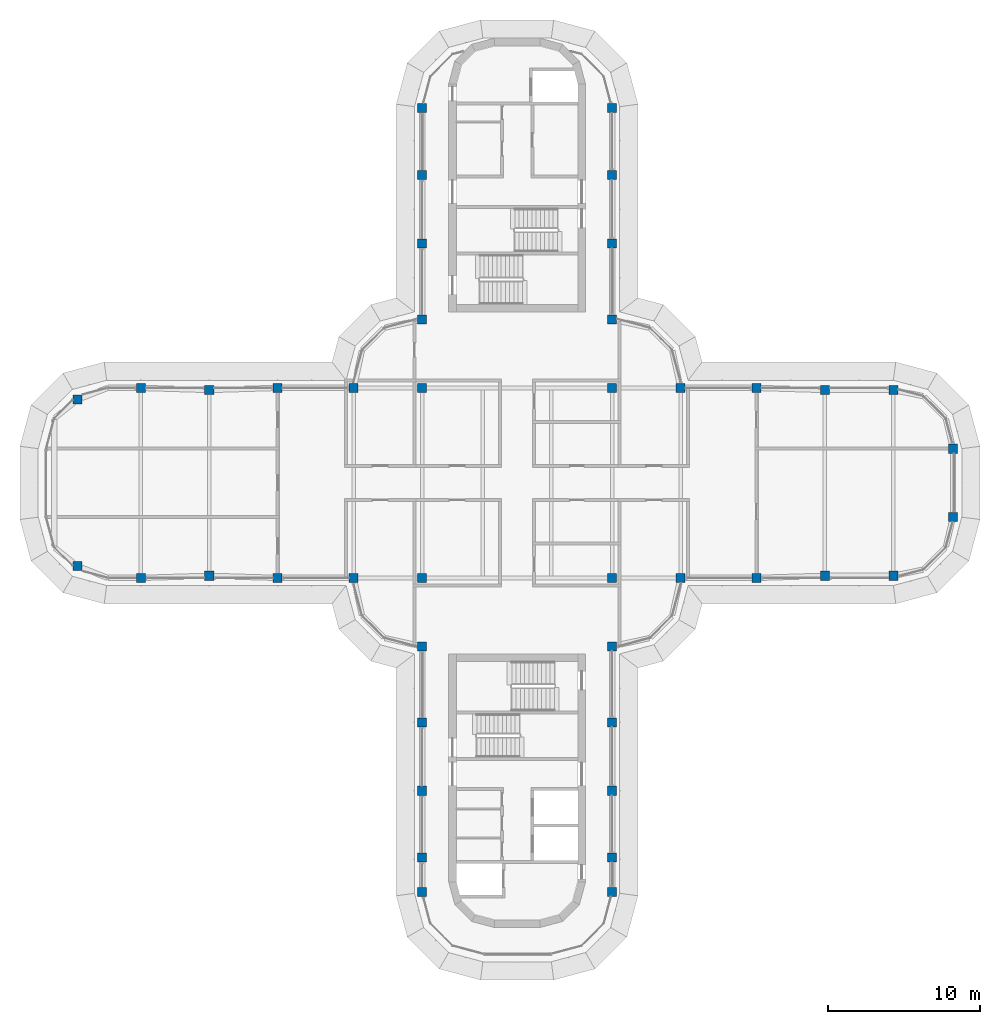
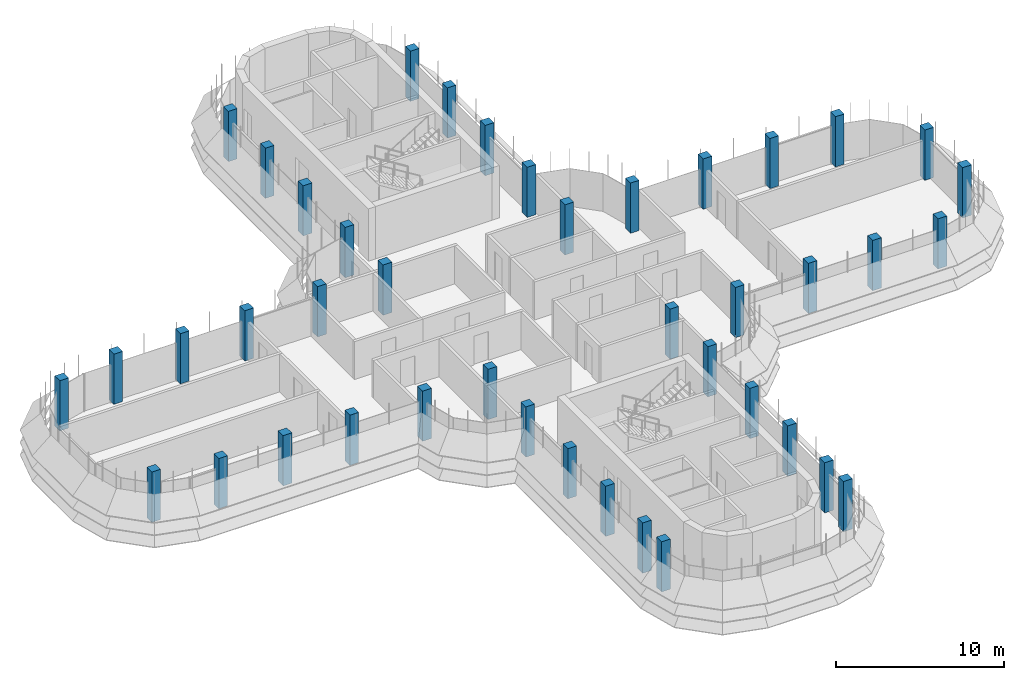
# One storey, part 1 of 19: 42 columns.
"""IFC4 building model written with IfcOpenShell, lengths in metres."""

import ifcopenshell
import ifcopenshell.guid

model = None  # the IFC model being written
_history = None  # IfcOwnerHistory: only IFC2X3 demands one
_inside = {}  # id of a spatial element -> (the spatial element, [elements in it])
_under = {}  # id of a project, library or spatial element -> (it, [spatial elements below it])
_declared = {}  # id of a project -> (the project, [libraries it declares])
_typed = {}  # id of a type object -> (the type object, [elements of that type])
_made_of = {}  # id of a material, layer set ... -> (it, [elements and type objects made of it])


def new_model(schema):
    """Start an empty IFC model of exactly this schema.

    Asked for "IFC4X3", IfcOpenShell would pick the latest addendum, in which some entities
    have other attributes; the version numbers below select the first issue.
    IFC2X3 requires an IfcOwnerHistory on every rooted entity: one is made here for all.
    """
    global model, _history
    if schema == "IFC4X3":
        model = ifcopenshell.file(schema_version=(4, 3, 0, 0))
    else:
        model = ifcopenshell.file(schema=schema)
    _inside.clear()
    _under.clear()
    _declared.clear()
    _typed.clear()
    _made_of.clear()
    _history = None
    if model.schema == "IFC2X3":
        org = make("IfcOrganization", Name="unknown")
        user = make(
            "IfcPersonAndOrganization",
            ThePerson=make("IfcPerson", FamilyName="unknown"),
            TheOrganization=org,
        )
        app = make(
            "IfcApplication",
            ApplicationDeveloper=org,
            Version="unknown",
            ApplicationFullName="unknown",
            ApplicationIdentifier="unknown",
        )
        _history = make(
            "IfcOwnerHistory",
            OwningUser=user,
            OwningApplication=app,
            ChangeAction="ADDED",
            CreationDate=0,
        )
    return model


def make(cls, **values):
    """One entity of the class cls with the attributes given. An attribute that is None is left unset."""
    return model.create_entity(
        cls, **{name: value for name, value in values.items() if value is not None}
    )


def rooted(cls, **values):
    """An entity with a GlobalId (a new one), such as an element, a storey or a relation."""
    return make(cls, GlobalId=ifcopenshell.guid.new(), OwnerHistory=_history, **values)


def si_unit(unit_type, name, prefix=None):
    """IfcSIUnit, for example si_unit("LENGTHUNIT", "METRE", prefix="MILLI")."""
    return make("IfcSIUnit", UnitType=unit_type, Prefix=prefix, Name=name)


def assignment(units):
    """IfcUnitAssignment: the units of a project."""
    return None if units is None else make("IfcUnitAssignment", Units=units)


def point(xyz):
    """IfcCartesianPoint."""
    return None if xyz is None else make("IfcCartesianPoint", Coordinates=xyz)


def direction(xyz):
    """IfcDirection."""
    return None if xyz is None else make("IfcDirection", DirectionRatios=xyz)


def frame(location, z_axis=None, x_axis=None):
    """IfcAxis2Placement3D, a coordinate frame: its origin and axes. An axis left out is left unset."""
    return make(
        "IfcAxis2Placement3D",
        Location=point(location),
        Axis=direction(z_axis),
        RefDirection=direction(x_axis),
    )


def frame_2d(location, x_axis=None):
    """IfcAxis2Placement2D, a coordinate frame in the plane: its origin and x axis."""
    return make(
        "IfcAxis2Placement2D", Location=point(location), RefDirection=direction(x_axis)
    )


def origin():
    """The frame at (0, 0, 0) with its axes left unset."""
    return frame((0.0, 0.0, 0.0))


def origin_2d():
    """The frame at (0, 0) in the plane with its x axis left unset."""
    return frame_2d((0.0, 0.0))


def place(relative_to, where):
    """IfcLocalPlacement: puts the frame where relative to a parent placement (None: the world)."""
    return make(
        "IfcLocalPlacement", PlacementRelTo=relative_to, RelativePlacement=where
    )


def context(
    kind, dimensions, precision=None, world=None, true_north=None, identifier=None
):
    """IfcGeometricRepresentationContext, for example the 3D "Model" context."""
    return make(
        "IfcGeometricRepresentationContext",
        ContextIdentifier=identifier,
        ContextType=kind,
        CoordinateSpaceDimension=dimensions,
        Precision=precision,
        WorldCoordinateSystem=world,
        TrueNorth=true_north,
    )


def subcontext(parent, identifier, kind, view, scale=None):
    """IfcGeometricRepresentationSubContext, for example "Body" below "Model"."""
    return make(
        "IfcGeometricRepresentationSubContext",
        ContextIdentifier=identifier,
        ContextType=kind,
        ParentContext=parent,
        TargetScale=scale,
        TargetView=view,
    )


def project(units=None, contexts=None):
    """IfcProject with its units and contexts."""
    return rooted(
        "IfcProject",
        Name="project",
        RepresentationContexts=contexts,
        UnitsInContext=assignment(units),
    )


def spatial(cls, under=None, at=None, **own):
    """A site, building, storey or space (cls), placed at a placement, below another one or the project."""
    s = rooted(cls, ObjectPlacement=at, **own)
    if under is not None:
        _under.setdefault(under.id(), (under, []))[1].append(s)
    return s


def profile(cls, at=None, kind="AREA", **sizes):
    """A parametric profile (cls). Its sizes go by their IFC names, for example OverallWidth=200.0."""
    return make(cls, ProfileType=kind, Position=at, **sizes)


def rectangle(**sizes):
    """IfcRectangleProfileDef."""
    return profile("IfcRectangleProfileDef", **sizes)


def extrude(swept, where, along, depth):
    """IfcExtrudedAreaSolid: the profile swept, set in the frame where, extruded along a direction by depth."""
    return make(
        "IfcExtrudedAreaSolid",
        SweptArea=swept,
        Position=where,
        ExtrudedDirection=direction(along),
        Depth=depth,
    )


def shape(context_of_items, identifier, shape_type, items):
    """IfcShapeRepresentation: the items that make up one representation, for example the "Body"."""
    return make(
        "IfcShapeRepresentation",
        ContextOfItems=context_of_items,
        RepresentationIdentifier=identifier,
        RepresentationType=shape_type,
        Items=items,
    )


def material(Name=None, Category=None):
    """IfcMaterial."""
    return make("IfcMaterial", Name=Name, Category=Category)


def material_profile(
    of_material, cross_section, Name=None, Category=None, Priority=None
):
    """IfcMaterialProfile: a cross section and its material."""
    return make(
        "IfcMaterialProfile",
        Name=Name,
        Material=of_material,
        Profile=cross_section,
        Priority=Priority,
        Category=Category,
    )


def profile_set(profiles, Name=None, composite=None):
    """IfcMaterialProfileSet."""
    return make(
        "IfcMaterialProfileSet",
        Name=Name,
        MaterialProfiles=profiles,
        CompositeProfile=composite,
    )


def made_of(thing, what):
    """Note that an element or type object is made of a material, layer set ...; save() writes the relation."""
    if what is not None:
        _made_of.setdefault(what.id(), (what, []))[1].append(thing)
    return thing


def type_object(cls, material=None, **own):
    """A type object (cls), such as IfcWallType, which elements share."""
    return made_of(rooted(cls, **own), material)


def element(
    cls,
    number,
    at=None,
    inside=None,
    cuts=None,
    type_object=None,
    material=None,
    context=None,
    identifier="Body",
    shape_type=None,
    held_by="IfcProductDefinitionShape",
    body=None,
    shapes=None,
    **own,
):
    """One element of the class cls, such as IfcWall. Its Tag is "e" and its number.

    at: its placement. inside: the storey or other place that contains it. cuts: it is an
    opening in that element (IfcRelVoidsElement). A single representation is given by context,
    identifier, shape_type and body (its items); several are given by shapes. held_by: the class
    of the entity that holds the representations. save() writes the other relations.
    """
    e = rooted(cls, Tag="e%d" % number, ObjectPlacement=at, **own)
    if body is not None:
        shapes = [shape(context, identifier, shape_type, body)]
    if shapes is not None:
        e.Representation = make(held_by, Representations=shapes)
    if inside is not None:
        _inside.setdefault(inside.id(), (inside, []))[1].append(e)
    if cuts is not None:
        rooted(
            "IfcRelVoidsElement", RelatingBuildingElement=cuts, RelatedOpeningElement=e
        )
    if type_object is not None:
        _typed.setdefault(type_object.id(), (type_object, []))[1].append(e)
    return made_of(e, material)


def aggregate(whole, parts):
    """IfcRelAggregates: a whole, such as a stair, and the parts it consists of."""
    return rooted("IfcRelAggregates", RelatingObject=whole, RelatedObjects=parts)


def save(model, path):
    """Write the relations noted so far, then the file.

    IfcRelAggregates (storeys below a building ...), IfcRelContainedInSpatialStructure (elements
    in a storey), IfcRelDefinesByType, IfcRelAssociatesMaterial and IfcRelDeclares: one each for
    every whole, place, type object, material and project.
    """
    for whole, parts in _under.values():
        aggregate(whole, parts)
    for where, things in _inside.values():
        rooted(
            "IfcRelContainedInSpatialStructure",
            RelatedElements=things,
            RelatingStructure=where,
        )
    for kind, things in _typed.values():
        rooted("IfcRelDefinesByType", RelatedObjects=things, RelatingType=kind)
    for what, things in _made_of.values():
        rooted("IfcRelAssociatesMaterial", RelatedObjects=things, RelatingMaterial=what)
    for by, libraries in _declared.values():
        rooted("IfcRelDeclares", RelatingContext=by, RelatedDefinitions=libraries)
    model.write(path)


model = new_model("IFC4")

# Units and contexts
model_context = context("Model", 3, precision=1e-05, world=origin(), true_north=direction((0.0, 1.0)))
body_context = subcontext(model_context, "Body", "Model", "MODEL_VIEW")
ifc_project = project(units=[si_unit("LENGTHUNIT", "METRE"), si_unit("AREAUNIT", "SQUARE_METRE"), si_unit("VOLUMEUNIT", "CUBIC_METRE"), si_unit("PLANEANGLEUNIT", "RADIAN"), si_unit("MASSUNIT", "GRAM", prefix="KILO")], contexts=[model_context])

# Site, building, storey
site_placement = place(None, origin())
site = spatial("IfcSite", under=ifc_project, at=site_placement, CompositionType="ELEMENT")
building_placement = place(site_placement, origin())
building = spatial("IfcBuilding", under=site, at=building_placement, Name="Zarbagh Exchange Tower", CompositionType="ELEMENT")
storey_placement = place(building_placement, frame((0.0, 0.0, 265.0)))
storey = spatial("IfcBuildingStorey", under=building, at=storey_placement, Name="L65", CompositionType="ELEMENT", Elevation=265.0)

# Columns
ifc_material = material(Name="Concrete C40/50", Category="concrete")
ifc_material_profile = material_profile(ifc_material, rectangle(XDim=0.60009765625, YDim=0.60009765625, at=origin_2d()), Name="RC column 600 x 600 C40/50")
ifc_profile_set = profile_set([ifc_material_profile], Name="Concrete C40/50")
column_type = type_object("IfcColumnType", Name="RC column 600 x 600 C40/50", PredefinedType="COLUMN", material=ifc_profile_set)
for number, where, z_axis, x_axis, name in (
    (1, (-28.907958984375, -5.47509765625, 0.0), (0.0, 0.0, 1.0), (1.0, 0.0, 0.0), "C6 11/R"),
    (2, (-28.907958984375, 5.47509765625, 0.0), (0.0, 0.0, 1.0), (1.0, 0.0, 0.0), "C6 11/U"),
    (3, (-24.75, -6.25, 0.0), (0.0, 0.0, 1.0), (1.0, 0.0, 0.0), "C6 12/R"),
    (4, (-24.75, 6.25, 0.0), (0.0, 0.0, 1.0), (1.0, 0.0, 0.0), "C6 12/U"),
    (5, (-20.25, -6.110107421875, 0.0), (0.0, 0.0, 1.0), (1.0, 0.0, 0.0), "C6 13/R"),
    (6, (-20.25, 6.110107421875, 0.0), (0.0, 0.0, 1.0), (1.0, 0.0, 0.0), "C6 13/U"),
    (7, (-15.75, -6.25, 0.0), (0.0, 0.0, 1.0), (1.0, 0.0, 0.0), "C6 14/R"),
    (8, (-15.75, 6.25, 0.0), (0.0, 0.0, 1.0), (1.0, 0.0, 0.0), "C6 14/U"),
    (9, (-10.75, -6.25, 0.0), (0.0, 0.0, 1.0), (1.0, 0.0, 0.0), "C6 15/R"),
    (10, (-10.75, 6.25, 0.0), (0.0, 0.0, 1.0), (1.0, 0.0, 0.0), "C6 15/U"),
    (11, (-6.25, -26.89990234375, 0.0), (0.0, 0.0, 1.0), (1.0, 0.0, 0.0), "C6 16/L"),
    (12, (-6.25, -24.64990234375, 0.0), (0.0, 0.0, 1.0), (1.0, 0.0, 0.0), "C6 16/M"),
    (13, (-6.25, -20.25, 0.0), (0.0, 0.0, 1.0), (1.0, 0.0, 0.0), "C6 16/N"),
    (14, (-6.25, -15.75, 0.0), (0.0, 0.0, 1.0), (1.0, 0.0, 0.0), "C6 16/P"),
    (15, (-6.25, -10.75, 0.0), (0.0, 0.0, 1.0), (1.0, 0.0, 0.0), "C6 16/Q"),
    (16, (-6.25, -6.25, 0.0), (0.0, 0.0, 1.0), (1.0, 0.0, 0.0), "C6 16/R"),
    (17, (-6.25, 6.25, 0.0), (0.0, 0.0, 1.0), (1.0, 0.0, 0.0), "C6 16/U"),
    (18, (-6.25, 10.75, 0.0), (0.0, 0.0, 1.0), (1.0, 0.0, 0.0), "C6 16/V"),
    (19, (-6.25, 15.75, 0.0), (0.0, 0.0, 1.0), (1.0, 0.0, 0.0), "C6 16/W"),
    (20, (-6.25, 20.25, 0.0), (0.0, 0.0, 1.0), (1.0, 0.0, 0.0), "C6 16/X"),
    (21, (-6.25, 24.64990234375, 0.0), (0.0, 0.0, 1.0), (1.0, 0.0, 0.0), "C6 16/Y"),
    (22, (6.25, -26.89990234375, 0.0), (0.0, 0.0, 1.0), (1.0, 0.0, 0.0), "C6 19/L"),
    (23, (6.25, -24.64990234375, 0.0), (0.0, 0.0, 1.0), (1.0, 0.0, 0.0), "C6 19/M"),
    (24, (6.25, -20.25, 0.0), (0.0, 0.0, 1.0), (1.0, 0.0, 0.0), "C6 19/N"),
    (25, (6.25, -15.75, 0.0), (0.0, 0.0, 1.0), (1.0, 0.0, 0.0), "C6 19/P"),
    (26, (6.25, -10.75, 0.0), (0.0, 0.0, 1.0), (1.0, 0.0, 0.0), "C6 19/Q"),
    (27, (6.25, -6.25, 0.0), (0.0, 0.0, 1.0), (1.0, 0.0, 0.0), "C6 19/R"),
    (28, (6.25, 6.25, 0.0), (0.0, 0.0, 1.0), (1.0, 0.0, 0.0), "C6 19/U"),
    (29, (6.25, 10.75, 0.0), (0.0, 0.0, 1.0), (1.0, 0.0, 0.0), "C6 19/V"),
    (30, (6.25, 15.75, 0.0), (0.0, 0.0, 1.0), (1.0, 0.0, 0.0), "C6 19/W"),
    (31, (6.25, 20.25, 0.0), (0.0, 0.0, 1.0), (1.0, 0.0, 0.0), "C6 19/X"),
    (32, (6.25, 24.64990234375, 0.0), (0.0, 0.0, 1.0), (1.0, 0.0, 0.0), "C6 19/Y"),
    (33, (10.75, -6.25, 0.0), (0.0, 0.0, 1.0), (1.0, 0.0, 0.0), "C6 20/R"),
    (34, (10.75, 6.25, 0.0), (0.0, 0.0, 1.0), (1.0, 0.0, 0.0), "C6 20/U"),
    (35, (15.75, -6.25, 0.0), (0.0, 0.0, 1.0), (1.0, 0.0, 0.0), "C6 21/R"),
    (36, (15.75, 6.25, 0.0), (0.0, 0.0, 1.0), (1.0, 0.0, 0.0), "C6 21/U"),
    (37, (20.25, -6.110107421875, 0.0), (0.0, 0.0, 1.0), (1.0, 0.0, 0.0), "C6 22/R"),
    (38, (20.25, 6.110107421875, 0.0), (0.0, 0.0, 1.0), (1.0, 0.0, 0.0), "C6 22/U"),
    (39, (24.75, -6.110107421875, 0.0), (0.0, 0.0, 1.0), (1.0, 0.0, 0.0), "C6 23/R"),
    (40, (24.75, 6.110107421875, 0.0), (0.0, 0.0, 1.0), (1.0, 0.0, 0.0), "C6 23/U"),
    (41, (28.669921875, -2.25, 0.0), (0.0, 0.0, 1.0), (1.0, 0.0, 0.0), "C6 24/S"),
    (42, (28.669921875, 2.25, 0.0), (0.0, 0.0, 1.0), (1.0, 0.0, 0.0), "C6 24/T"),
):
    element("IfcColumn", number, at=place(storey_placement, frame(where, z_axis=z_axis, x_axis=x_axis)), inside=storey, type_object=column_type, Name=name, PredefinedType="COLUMN", context=body_context, shape_type="SweptSolid", body=[
        extrude(rectangle(XDim=0.60009765625, YDim=0.60009765625, at=origin_2d()), origin(), (0.0, 0.0, 1.0), 3.64990234375),
    ])

save(model, "model.ifc")
